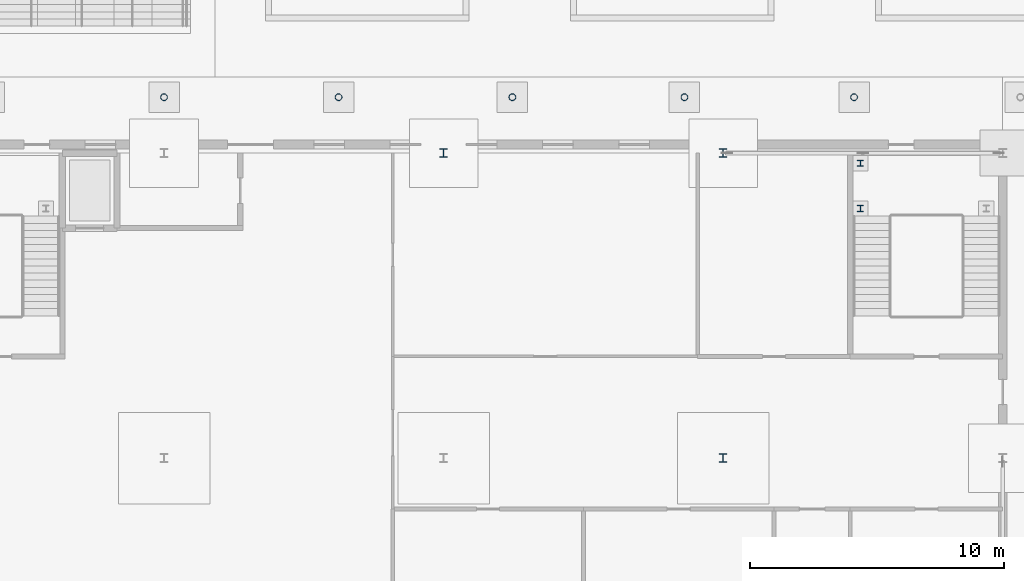
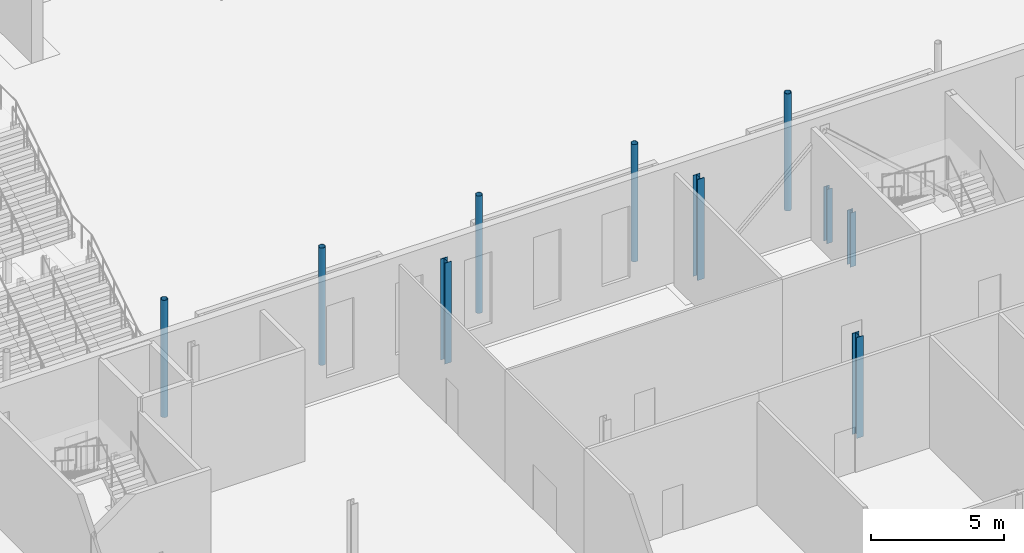
# One storey, part 30 of 132: 10 columns.
"""IFC4 building model written with IfcOpenShell, lengths in metres."""

from ifc_helpers import new_model, si_unit, direction, frame, origin, origin_2d, place, context, subcontext, project, spatial, hollow_circle, i_section, extrude, material, material_profile, profile_set, type_object, element, save


model = new_model("IFC4")

# Units and contexts
model_context = context("Model", 3, precision=1e-05, world=origin(), true_north=direction((0.0, 1.0)))
body_context = subcontext(model_context, "Body", "Model", "MODEL_VIEW")
ifc_project = project(units=[si_unit("LENGTHUNIT", "METRE"), si_unit("AREAUNIT", "SQUARE_METRE"), si_unit("VOLUMEUNIT", "CUBIC_METRE"), si_unit("PLANEANGLEUNIT", "RADIAN"), si_unit("MASSUNIT", "GRAM", prefix="KILO")], contexts=[model_context])

# Site, building, storey
site_placement = place(None, origin())
site = spatial("IfcSite", under=ifc_project, at=site_placement, CompositionType="ELEMENT")
building_placement = place(site_placement, origin())
building = spatial("IfcBuilding", under=site, at=building_placement, Name="Ravi Spectrum Wholesale Market", CompositionType="ELEMENT")
storey_placement = place(building_placement, origin())
storey = spatial("IfcBuildingStorey", under=building, at=storey_placement, Name="L00", CompositionType="ELEMENT", Elevation=0.0)

# Columns
ifc_material_1 = material(Name="Steel S355", Category="steel")
ifc_material_profile_1 = material_profile(ifc_material_1, hollow_circle(Radius=0.136474609375, WallThickness=0.010009765625, at=origin_2d()))
ifc_profile_set_1 = profile_set([ifc_material_profile_1], Name="Steel S355")
column_type_1 = type_object("IfcColumnType", Name="CHS 273x10 column", PredefinedType="COLUMN", material=ifc_profile_set_1)
for number, where, z_axis, x_axis, name in (
    (1, (70.0, 197.199951171875, 0.0), (0.0, 0.0, 1.0), (1.0, 0.0, 0.0), "H1-COL-L00-050"),
    (2, (76.86962890625, 197.199951171875, 0.0), (0.0, 0.0, 1.0), (1.0, 0.0, 0.0), "H1-COL-L00-051"),
    (3, (83.706298828125, 197.199951171875, 0.0), (0.0, 0.0, 1.0), (1.0, 0.0, 0.0), "H1-COL-L00-052"),
    (4, (90.47802734375, 197.199951171875, 0.0), (0.0, 0.0, 1.0), (1.0, 0.0, 0.0), "H1-COL-L00-053"),
    (5, (97.152099609375, 197.199951171875, 0.0), (0.0, 0.0, 1.0), (1.0, 0.0, 0.0), "H1-COL-L00-054"),
):
    element("IfcColumn", number, at=place(storey_placement, frame(where, z_axis=z_axis, x_axis=x_axis)), inside=storey, type_object=column_type_1, Name=name, PredefinedType="COLUMN", context=body_context, shape_type="SweptSolid", body=[
        extrude(hollow_circle(Radius=0.136474609375, WallThickness=0.010009765625, at=origin_2d()), origin(), (0.0, 0.0, 1.0), 5.39990234375),
    ])
ifc_material_2 = material(Name="Steel S355", Category="steel")
ifc_material_profile_2 = material_profile(ifc_material_2, i_section(OverallWidth=0.239990234375, OverallDepth=0.239990234375, WebThickness=0.010009765625, FlangeThickness=0.01708984375, at=origin_2d()))
ifc_profile_set_2 = profile_set([ifc_material_profile_2], Name="Steel S355")
column_type_2 = type_object("IfcColumnType", Name="HEB 240 column", PredefinedType="COLUMN", material=ifc_profile_set_2)
for number, where, z_axis, x_axis, name in (
    (6, (97.39990234375, 192.820068359375, 0.0), (0.0, 0.0, 1.0), (1.0, 0.0, 0.0), "H1-COL-L00-080"),
    (7, (97.39990234375, 194.60009765625, 0.0), (0.0, 0.0, 1.0), (1.0, 0.0, 0.0), "H1-COL-L00-081"),
):
    element("IfcColumn", number, at=place(storey_placement, frame(where, z_axis=z_axis, x_axis=x_axis)), inside=storey, type_object=column_type_2, Name=name, PredefinedType="COLUMN", context=body_context, shape_type="SweptSolid", body=[
        extrude(i_section(OverallWidth=0.239990234375, OverallDepth=0.239990234375, WebThickness=0.010009765625, FlangeThickness=0.01708984375, at=origin_2d()), origin(), (0.0, 0.0, 1.0), 2.5),
    ])
ifc_material_3 = material(Name="Steel S355", Category="steel")
ifc_material_profile_3 = material_profile(ifc_material_3, i_section(OverallWidth=0.300048828125, OverallDepth=0.340087890625, WebThickness=0.011962890625, FlangeThickness=0.021484375, at=origin_2d()))
ifc_profile_set_3 = profile_set([ifc_material_profile_3], Name="Steel S355")
column_type_3 = type_object("IfcColumnType", Name="HEB 340 column", PredefinedType="COLUMN", material=ifc_profile_set_3)
for number, where, z_axis, x_axis, name in (
    (8, (81.0, 195.0, 0.0), (0.0, 0.0, 1.0), (1.0, 0.0, 0.0), "H1-COL-L00-070"),
    (9, (92.0, 183.0, 0.0), (0.0, 0.0, 1.0), (1.0, 0.0, 0.0), "H1-COL-L00-072"),
    (10, (92.0, 195.0, 0.0), (0.0, 0.0, 1.0), (1.0, 0.0, 0.0), "H1-COL-L00-073"),
):
    element("IfcColumn", number, at=place(storey_placement, frame(where, z_axis=z_axis, x_axis=x_axis)), inside=storey, type_object=column_type_3, Name=name, PredefinedType="COLUMN", context=body_context, shape_type="SweptSolid", body=[
        extrude(i_section(OverallWidth=0.300048828125, OverallDepth=0.340087890625, WebThickness=0.011962890625, FlangeThickness=0.021484375, at=origin_2d()), origin(), (0.0, 0.0, 1.0), 4.64990234375),
    ])

save(model, "model.ifc")
